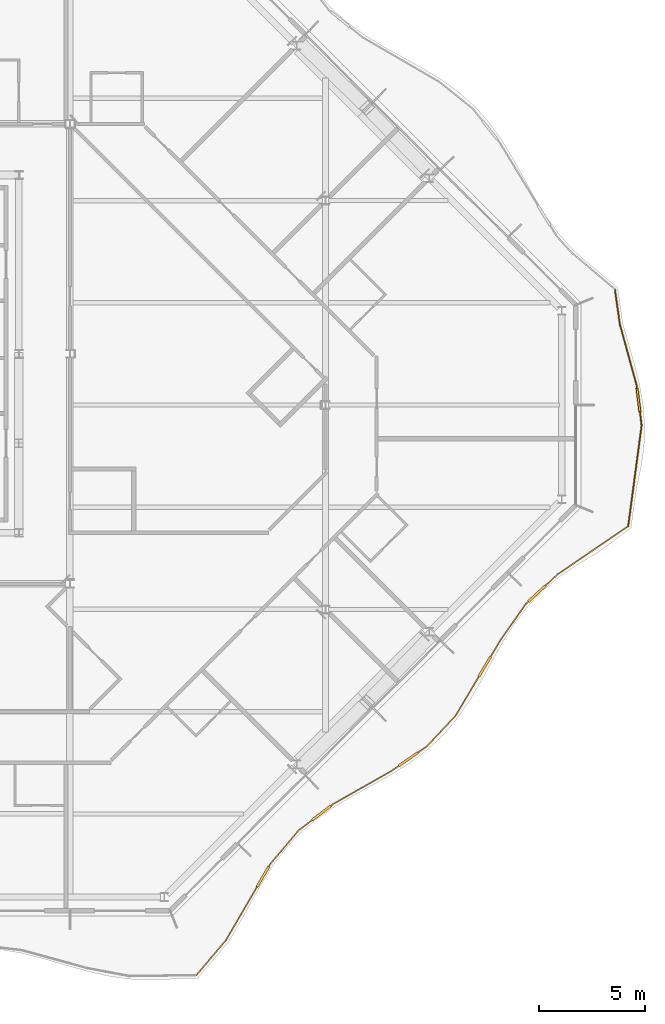
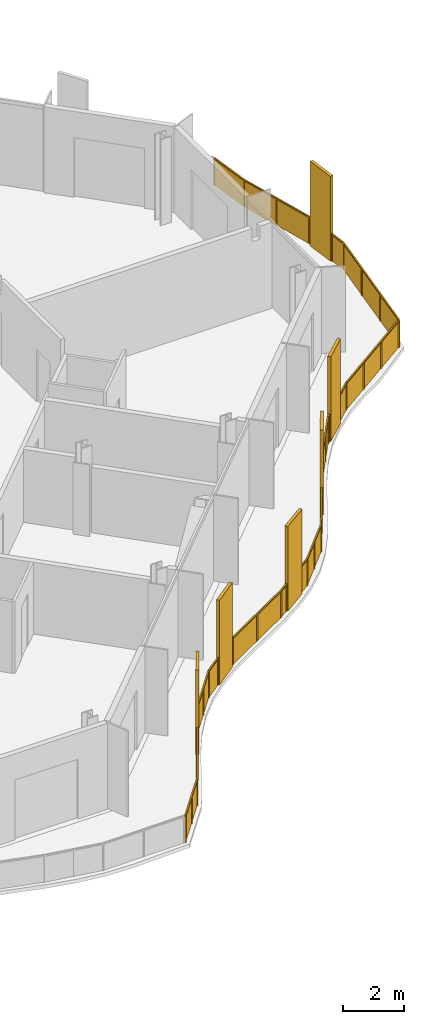
# One storey, part 15 of 17: 2 railings.
"""IFC4 building model written with IfcOpenShell, lengths in metres."""

from ifc_helpers import new_model, si_unit, direction, frame, origin, origin_2d, place, context, subcontext, project, spatial, polyline, rectangle, outline, extrude, material, type_object, element, save


model = new_model("IFC4")

# Units and contexts
model_context = context("Model", 3, precision=1e-05, world=origin(), true_north=direction((0.0, 1.0)))
body_context = subcontext(model_context, "Body", "Model", "MODEL_VIEW")
ifc_project = project(units=[si_unit("LENGTHUNIT", "METRE"), si_unit("AREAUNIT", "SQUARE_METRE"), si_unit("VOLUMEUNIT", "CUBIC_METRE"), si_unit("PLANEANGLEUNIT", "RADIAN"), si_unit("MASSUNIT", "GRAM", prefix="KILO")], contexts=[model_context])

# Site, building, storey
site_placement = place(None, origin())
site = spatial("IfcSite", under=ifc_project, at=site_placement, CompositionType="ELEMENT")
building_placement = place(site_placement, origin())
building = spatial("IfcBuilding", under=site, at=building_placement, Name="Cairn Pilgrim Tower", CompositionType="ELEMENT")
storey_placement = place(building_placement, frame((0.0, 0.0, 253.800048828125)))
storey = spatial("IfcBuildingStorey", under=building, at=storey_placement, Name="L65", CompositionType="ELEMENT", Elevation=253.800048828125)

# Railings
ifc_material = material(Name="Bronze anodised aluminium rail, posts and fin screens with laminated glass infill", Category="aluminium")
railing_type = type_object("IfcRailingType", Name="BALCONY GUARD WITH FIN SCREENS", PredefinedType="GUARDRAIL", material=ifc_material)
railing_1_placement = place(storey_placement, frame((25.138427734375, -26.769287109375, 0.0)))
element("IfcRailing", 1, at=railing_1_placement, inside=storey, type_object=railing_type, Name="Balcony guard BGF-2 with fin screens", PredefinedType="GUARDRAIL", context=body_context, shape_type="SweptSolid", body=[
    extrude(rectangle(XDim=0.050048828125, YDim=0.050048828125, at=origin_2d()), frame((0.0, 0.0, 1.0751953125), z_axis=(0.646667941589, 0.762771639038, 0.0), x_axis=(-0.762771639038, 0.646667941589, 0.0)), (0.0, 0.0, 1.0), 2.140625),
    extrude(rectangle(XDim=1.10009765625, YDim=0.110107421875, at=origin_2d()), frame((3.12548828125, 4.62255859375, 0.0), z_axis=(0.0, 0.0, 1.0), x_axis=(0.503276157898, 0.864125632585, 0.0)), (0.0, 0.0, 1.0), 3.39990234375),
    extrude(rectangle(XDim=0.050048828125, YDim=0.050048828125, at=origin_2d()), frame((1.38427734375, 1.6328125, 1.0751953125), z_axis=(0.503276157898, 0.864125632585, 0.0), x_axis=(-0.864125632585, 0.503276157898, 0.0)), (0.0, 0.0, 1.0), 2.909912109375),
    extrude(rectangle(XDim=0.050048828125, YDim=0.050048828125, at=origin_2d()), frame((3.40234375, 5.097900390625, 1.0751953125), z_axis=(0.503276157898, 0.864125632585, 0.0), x_axis=(-0.864125632585, 0.503276157898, 0.0)), (0.0, 0.0, 1.0), 0.150390625),
    extrude(rectangle(XDim=0.050048828125, YDim=0.050048828125, at=origin_2d()), frame((3.47802734375, 5.227783203125, 1.0751953125), z_axis=(0.644664192748, 0.764465877976, 0.0), x_axis=(-0.764465877976, 0.644664192748, 0.0)), (0.0, 0.0, 1.0), 2.048095703125),
    extrude(rectangle(XDim=1.10009765625, YDim=0.110107421875, at=origin_2d()), frame((5.876708984375, 7.615478515625, 0.0), z_axis=(0.0, 0.0, 1.0), x_axis=(0.795229964148, 0.606307928466, 0.0)), (0.0, 0.0, 1.0), 3.39990234375),
    extrude(rectangle(XDim=0.050048828125, YDim=0.050048828125, at=origin_2d()), frame((4.79833984375, 6.79345703125, 1.0751953125), z_axis=(0.795229964148, 0.606307928466, 0.0), x_axis=(-0.606307928466, 0.795229964148, 0.0)), (0.0, 0.0, 1.0), 0.805908203125),
    extrude(rectangle(XDim=0.050048828125, YDim=0.050048828125, at=origin_2d()), frame((6.31396484375, 7.948974609375, 1.0751953125), z_axis=(0.795229964148, 0.606307928466, 0.0), x_axis=(-0.606307928466, 0.795229964148, 0.0)), (0.0, 0.0, 1.0), 0.150146484375),
    extrude(rectangle(XDim=0.050048828125, YDim=0.050048828125, at=origin_2d()), frame((6.433349609375, 8.0400390625, 1.0751953125), z_axis=(0.869916335649, 0.493199319719, 0.0), x_axis=(-0.493199319719, 0.869916335649, 0.0)), (0.0, 0.0, 1.0), 3.133544921875),
    extrude(rectangle(XDim=1.10009765625, YDim=0.110107421875, at=origin_2d()), frame((9.956787109375, 10.139892578125, 0.0), z_axis=(0.0, 0.0, 1.0), x_axis=(0.821190707652, 0.570653854509, 0.0)), (0.0, 0.0, 1.0), 3.39990234375),
    extrude(rectangle(XDim=0.050048828125, YDim=0.050048828125, at=origin_2d()), frame((9.1591796875, 9.58544921875, 1.0751953125), z_axis=(0.821190707652, 0.570653854509, 0.0), x_axis=(-0.570653854509, 0.821190707652, 0.0)), (0.0, 0.0, 1.0), 0.42138671875),
    extrude(rectangle(XDim=0.050048828125, YDim=0.050048828125, at=origin_2d()), frame((10.408447265625, 10.45361328125, 1.0751953125), z_axis=(0.821190707652, 0.570653854509, 0.0), x_axis=(-0.570653854509, 0.821190707652, 0.0)), (0.0, 0.0, 1.0), 0.499755859375),
    extrude(rectangle(XDim=0.050048828125, YDim=0.050048828125, at=origin_2d()), frame((10.81884765625, 10.73876953125, 1.0751953125), z_axis=(0.684055959068, 0.729429533858, 0.0), x_axis=(-0.729429533858, 0.684055959068, 0.0)), (0.0, 0.0, 1.0), 1.97998046875),
    extrude(rectangle(XDim=1.10009765625, YDim=0.110107421875, at=origin_2d()), frame((13.540771484375, 14.486328125, 0.0), z_axis=(0.0, 0.0, 1.0), x_axis=(0.510510144635, 0.8598717301, 0.0)), (0.0, 0.0, 1.0), 3.39990234375),
    extrude(rectangle(XDim=0.050048828125, YDim=0.050048828125, at=origin_2d()), frame((12.17333984375, 12.18310546875, 1.0751953125), z_axis=(0.510510144635, 0.8598717301, 0.0), x_axis=(-0.8598717301, 0.510510144635, 0.0)), (0.0, 0.0, 1.0), 2.128662109375),
    extrude(rectangle(XDim=0.050048828125, YDim=0.050048828125, at=origin_2d()), frame((13.821533203125, 14.959228515625, 1.0751953125), z_axis=(0.510510144635, 0.8598717301, 0.0), x_axis=(-0.8598717301, 0.510510144635, 0.0)), (0.0, 0.0, 1.0), 0.911865234375),
    extrude(rectangle(XDim=0.050048828125, YDim=0.050048828125, at=origin_2d()), frame((14.287109375, 15.743408203125, 1.0751953125), z_axis=(0.573851305064, 0.818959510401, 0.0), x_axis=(-0.818959510401, 0.573851305064, 0.0)), (0.0, 0.0, 1.0), 2.063720703125),
    extrude(rectangle(XDim=1.10009765625, YDim=0.110107421875, at=origin_2d()), frame((15.984375, 17.909912109375, 0.0), z_axis=(0.0, 0.0, 1.0), x_axis=(0.732831855274, 0.680409782334, 0.0)), (0.0, 0.0, 1.0), 3.39990234375),
    extrude(rectangle(XDim=0.050048828125, YDim=0.050048828125, at=origin_2d()), frame((15.471435546875, 17.43359375, 1.0751953125), z_axis=(0.732831855274, 0.680409782334, 0.0), x_axis=(-0.680409782334, 0.732831855274, 0.0)), (0.0, 0.0, 1.0), 0.14990234375),
    extrude(rectangle(XDim=0.050048828125, YDim=0.050048828125, at=origin_2d()), frame((16.387451171875, 18.2841796875, 1.0751953125), z_axis=(0.732831855274, 0.680409782334, 0.0), x_axis=(-0.680409782334, 0.732831855274, 0.0)), (0.0, 0.0, 1.0), 0.7900390625),
    extrude(rectangle(XDim=0.050048828125, YDim=0.050048828125, at=origin_2d()), frame((16.96630859375, 18.821533203125, 1.0751953125), z_axis=(0.825909179893, 0.563803180701, 0.0), x_axis=(-0.563803180701, 0.825909179893, 0.0)), (0.0, 0.0, 1.0), 3.946533203125),
    extrude(rectangle(XDim=0.050048828125, YDim=0.050048828125, at=origin_2d()), origin(), (0.0, 0.0, 1.0), 1.050048828125),
    extrude(rectangle(XDim=0.050048828125, YDim=0.050048828125, at=origin_2d()), frame((0.692138671875, 0.81640625, 0.0)), (0.0, 0.0, 1.0), 1.050048828125),
    extrude(rectangle(XDim=0.050048828125, YDim=0.050048828125, at=origin_2d()), frame((1.38427734375, 1.6328125, 0.0)), (0.0, 0.0, 1.0), 1.050048828125),
    extrude(rectangle(XDim=0.050048828125, YDim=0.050048828125, at=origin_2d()), frame((2.1103515625, 2.87939453125, 0.0)), (0.0, 0.0, 1.0), 1.050048828125),
    extrude(rectangle(XDim=0.050048828125, YDim=0.050048828125, at=origin_2d()), frame((2.836181640625, 4.125732421875, 0.0)), (0.0, 0.0, 1.0), 1.050048828125),
    extrude(rectangle(XDim=0.050048828125, YDim=0.050048828125, at=origin_2d()), frame((3.4150390625, 5.11962890625, 0.0)), (0.0, 0.0, 1.0), 1.050048828125),
    extrude(rectangle(XDim=0.050048828125, YDim=0.050048828125, at=origin_2d()), frame((3.47802734375, 5.227783203125, 0.0)), (0.0, 0.0, 1.0), 1.050048828125),
    extrude(rectangle(XDim=0.050048828125, YDim=0.050048828125, at=origin_2d()), frame((4.13818359375, 6.0107421875, 0.0)), (0.0, 0.0, 1.0), 1.050048828125),
    extrude(rectangle(XDim=0.050048828125, YDim=0.050048828125, at=origin_2d()), frame((4.79833984375, 6.79345703125, 0.0)), (0.0, 0.0, 1.0), 1.050048828125),
    extrude(rectangle(XDim=0.050048828125, YDim=0.050048828125, at=origin_2d()), frame((5.41943359375, 7.266845703125, 0.0)), (0.0, 0.0, 1.0), 1.050048828125),
    extrude(rectangle(XDim=0.050048828125, YDim=0.050048828125, at=origin_2d()), frame((6.333984375, 7.964111328125, 0.0)), (0.0, 0.0, 1.0), 1.050048828125),
    extrude(rectangle(XDim=0.050048828125, YDim=0.050048828125, at=origin_2d()), frame((6.433349609375, 8.0400390625, 0.0)), (0.0, 0.0, 1.0), 1.050048828125),
    extrude(rectangle(XDim=0.050048828125, YDim=0.050048828125, at=origin_2d()), frame((7.79638671875, 8.812744140625, 0.0)), (0.0, 0.0, 1.0), 1.050048828125),
    extrude(rectangle(XDim=0.050048828125, YDim=0.050048828125, at=origin_2d()), frame((9.1591796875, 9.58544921875, 0.0)), (0.0, 0.0, 1.0), 1.050048828125),
    extrude(rectangle(XDim=0.050048828125, YDim=0.050048828125, at=origin_2d()), frame((9.484619140625, 9.8115234375, 0.0)), (0.0, 0.0, 1.0), 1.050048828125),
    extrude(rectangle(XDim=0.050048828125, YDim=0.050048828125, at=origin_2d()), frame((10.42919921875, 10.468017578125, 0.0)), (0.0, 0.0, 1.0), 1.050048828125),
    extrude(rectangle(XDim=0.050048828125, YDim=0.050048828125, at=origin_2d()), frame((10.81884765625, 10.73876953125, 0.0)), (0.0, 0.0, 1.0), 1.050048828125),
    extrude(rectangle(XDim=0.050048828125, YDim=0.050048828125, at=origin_2d()), frame((11.49609375, 11.4609375, 0.0)), (0.0, 0.0, 1.0), 1.050048828125),
    extrude(rectangle(XDim=0.050048828125, YDim=0.050048828125, at=origin_2d()), frame((12.17333984375, 12.18310546875, 0.0)), (0.0, 0.0, 1.0), 1.050048828125),
    extrude(rectangle(XDim=0.050048828125, YDim=0.050048828125, at=origin_2d()), frame((12.710205078125, 13.08740234375, 0.0)), (0.0, 0.0, 1.0), 1.050048828125),
    extrude(rectangle(XDim=0.050048828125, YDim=0.050048828125, at=origin_2d()), frame((13.247314453125, 13.991943359375, 0.0)), (0.0, 0.0, 1.0), 1.050048828125),
    extrude(rectangle(XDim=0.050048828125, YDim=0.050048828125, at=origin_2d()), frame((13.834228515625, 14.980712890625, 0.0)), (0.0, 0.0, 1.0), 1.050048828125),
    extrude(rectangle(XDim=0.050048828125, YDim=0.050048828125, at=origin_2d()), frame((14.287109375, 15.743408203125, 0.0)), (0.0, 0.0, 1.0), 1.050048828125),
    extrude(rectangle(XDim=0.050048828125, YDim=0.050048828125, at=origin_2d()), frame((14.87939453125, 16.58837890625, 0.0)), (0.0, 0.0, 1.0), 1.050048828125),
    extrude(rectangle(XDim=0.050048828125, YDim=0.050048828125, at=origin_2d()), frame((15.471435546875, 17.43359375, 0.0)), (0.0, 0.0, 1.0), 1.050048828125),
    extrude(rectangle(XDim=0.050048828125, YDim=0.050048828125, at=origin_2d()), frame((15.56298828125, 17.5185546875, 0.0)), (0.0, 0.0, 1.0), 1.050048828125),
    extrude(rectangle(XDim=0.050048828125, YDim=0.050048828125, at=origin_2d()), frame((16.40576171875, 18.301025390625, 0.0)), (0.0, 0.0, 1.0), 1.050048828125),
    extrude(rectangle(XDim=0.050048828125, YDim=0.050048828125, at=origin_2d()), frame((16.96630859375, 18.821533203125, 0.0)), (0.0, 0.0, 1.0), 1.050048828125),
    extrude(rectangle(XDim=0.050048828125, YDim=0.050048828125, at=origin_2d()), frame((18.052734375, 19.563232421875, 0.0)), (0.0, 0.0, 1.0), 1.050048828125),
    extrude(rectangle(XDim=0.050048828125, YDim=0.050048828125, at=origin_2d()), frame((19.139404296875, 20.304931640625, 0.0)), (0.0, 0.0, 1.0), 1.050048828125),
    extrude(rectangle(XDim=0.050048828125, YDim=0.050048828125, at=origin_2d()), frame((20.225830078125, 21.046630859375, 0.0)), (0.0, 0.0, 1.0), 1.050048828125),
    extrude(outline(polyline([(0.02490234375, 0.0), (1.04541015625, 0.0), (1.04541015625, 1.050048828125), (0.02490234375, 1.050048828125), (0.02490234375, 0.0)])), frame((-0.004638671875, 0.00390625, 0.0), z_axis=(0.762771639038, -0.646667941589, 0.0), x_axis=(0.646667941589, 0.762771639038, 0.0)), (0.0, 0.0, 1.0), 0.011962890625),
    extrude(outline(polyline([(0.02490234375, 0.0), (1.04541015625, 0.0), (1.04541015625, 1.050048828125), (0.02490234375, 1.050048828125), (0.02490234375, 0.0)])), frame((0.6875, 0.8203125, 0.0), z_axis=(0.762771639038, -0.646667941589, 0.0), x_axis=(0.646667941589, 0.762771639038, 0.0)), (0.0, 0.0, 1.0), 0.011962890625),
    extrude(outline(polyline([(0.02490234375, 0.0), (1.41748046875, 0.0), (1.41748046875, 1.050048828125), (0.02490234375, 1.050048828125), (0.02490234375, 0.0)])), frame((1.379150390625, 1.6357421875, 0.0), z_axis=(0.864125632585, -0.503276157898, 0.0), x_axis=(0.503276157898, 0.864125632585, 0.0)), (0.0, 0.0, 1.0), 0.011962890625),
    extrude(outline(polyline([(0.02490234375, 0.0), (1.41748046875, 0.0), (1.41748046875, 1.050048828125), (0.02490234375, 1.050048828125), (0.02490234375, 0.0)])), frame((2.10498046875, 2.88232421875, 0.0), z_axis=(0.864125632585, -0.503276157898, 0.0), x_axis=(0.503276157898, 0.864125632585, 0.0)), (0.0, 0.0, 1.0), 0.011962890625),
    extrude(outline(polyline([(0.02490234375, 0.0), (0.100341796875, 0.0), (0.100341796875, 1.050048828125), (0.02490234375, 1.050048828125), (0.02490234375, 0.0)])), frame((3.409912109375, 5.12255859375, 0.0), z_axis=(0.864125632585, -0.503276157898, 0.0), x_axis=(0.503276157898, 0.864125632585, 0.0)), (0.0, 0.0, 1.0), 0.011962890625),
    extrude(outline(polyline([(0.02490234375, 0.0), (0.9990234375, 0.0), (0.9990234375, 1.050048828125), (0.02490234375, 1.050048828125), (0.02490234375, 0.0)])), frame((3.473388671875, 5.231689453125, 0.0), z_axis=(0.764465877976, -0.644664192748, 0.0), x_axis=(0.644664192748, 0.764465877976, 0.0)), (0.0, 0.0, 1.0), 0.011962890625),
    extrude(outline(polyline([(0.02490234375, 0.0), (0.9990234375, 0.0), (0.9990234375, 1.050048828125), (0.02490234375, 1.050048828125), (0.02490234375, 0.0)])), frame((4.133544921875, 6.014404296875, 0.0), z_axis=(0.764465877976, -0.644664192748, 0.0), x_axis=(0.644664192748, 0.764465877976, 0.0)), (0.0, 0.0, 1.0), 0.011962890625),
    extrude(outline(polyline([(0.02490234375, 0.0), (0.755859375, 0.0), (0.755859375, 1.050048828125), (0.02490234375, 1.050048828125), (0.02490234375, 0.0)])), frame((4.794677734375, 6.798095703125, 0.0), z_axis=(0.606307928466, -0.795229964148, 0.0), x_axis=(0.795229964148, 0.606307928466, 0.0)), (0.0, 0.0, 1.0), 0.011962890625),
    extrude(outline(polyline([(0.02490234375, 0.0), (0.10009765625, 0.0), (0.10009765625, 1.050048828125), (0.02490234375, 1.050048828125), (0.02490234375, 0.0)])), frame((6.330322265625, 7.968994140625, 0.0), z_axis=(0.606307928466, -0.795229964148, 0.0), x_axis=(0.795229964148, 0.606307928466, 0.0)), (0.0, 0.0, 1.0), 0.011962890625),
    extrude(outline(polyline([(0.02490234375, 0.0), (1.541748046875, 0.0), (1.541748046875, 1.050048828125), (0.02490234375, 1.050048828125), (0.02490234375, 0.0)])), frame((6.430419921875, 8.045166015625, 0.0), z_axis=(0.493199319719, -0.869916335649, 0.0), x_axis=(0.869916335649, 0.493199319719, 0.0)), (0.0, 0.0, 1.0), 0.011962890625),
    extrude(outline(polyline([(0.02490234375, 0.0), (1.541748046875, 0.0), (1.541748046875, 1.050048828125), (0.02490234375, 1.050048828125), (0.02490234375, 0.0)])), frame((7.793212890625, 8.81787109375, 0.0), z_axis=(0.493199319719, -0.869916335649, 0.0), x_axis=(0.869916335649, 0.493199319719, 0.0)), (0.0, 0.0, 1.0), 0.011962890625),
    extrude(outline(polyline([(0.02490234375, 0.0), (0.371337890625, 0.0), (0.371337890625, 1.050048828125), (0.02490234375, 1.050048828125), (0.02490234375, 0.0)])), frame((9.15576171875, 9.59033203125, 0.0), z_axis=(0.570653854509, -0.821190707652, 0.0), x_axis=(0.821190707652, 0.570653854509, 0.0)), (0.0, 0.0, 1.0), 0.011962890625),
    extrude(outline(polyline([(0.02490234375, 0.0), (0.44970703125, 0.0), (0.44970703125, 1.050048828125), (0.02490234375, 1.050048828125), (0.02490234375, 0.0)])), frame((10.42578125, 10.472900390625, 0.0), z_axis=(0.570653854509, -0.821190707652, 0.0), x_axis=(0.821190707652, 0.570653854509, 0.0)), (0.0, 0.0, 1.0), 0.011962890625),
    extrude(outline(polyline([(0.02490234375, 0.0), (0.965087890625, 0.0), (0.965087890625, 1.050048828125), (0.02490234375, 1.050048828125), (0.02490234375, 0.0)])), frame((10.814453125, 10.742919921875, 0.0), z_axis=(0.729429533858, -0.684055959068, 0.0), x_axis=(0.684055959068, 0.729429533858, 0.0)), (0.0, 0.0, 1.0), 0.011962890625),
    extrude(outline(polyline([(0.02490234375, 0.0), (0.965087890625, 0.0), (0.965087890625, 1.050048828125), (0.02490234375, 1.050048828125), (0.02490234375, 0.0)])), frame((11.49169921875, 11.465087890625, 0.0), z_axis=(0.729429533858, -0.684055959068, 0.0), x_axis=(0.684055959068, 0.729429533858, 0.0)), (0.0, 0.0, 1.0), 0.011962890625),
    extrude(outline(polyline([(0.02490234375, 0.0), (1.02685546875, 0.0), (1.02685546875, 1.050048828125), (0.02490234375, 1.050048828125), (0.02490234375, 0.0)])), frame((12.168212890625, 12.186279296875, 0.0), z_axis=(0.8598717301, -0.510510144635, 0.0), x_axis=(0.510510144635, 0.8598717301, 0.0)), (0.0, 0.0, 1.0), 0.011962890625),
    extrude(outline(polyline([(0.02490234375, 0.0), (1.02685546875, 0.0), (1.02685546875, 1.050048828125), (0.02490234375, 1.050048828125), (0.02490234375, 0.0)])), frame((12.705078125, 13.090576171875, 0.0), z_axis=(0.8598717301, -0.510510144635, 0.0), x_axis=(0.510510144635, 0.8598717301, 0.0)), (0.0, 0.0, 1.0), 0.011962890625),
    extrude(outline(polyline([(0.02490234375, 0.0), (0.86181640625, 0.0), (0.86181640625, 1.050048828125), (0.02490234375, 1.050048828125), (0.02490234375, 0.0)])), frame((13.8291015625, 14.98388671875, 0.0), z_axis=(0.8598717301, -0.510510144635, 0.0), x_axis=(0.510510144635, 0.8598717301, 0.0)), (0.0, 0.0, 1.0), 0.011962890625),
    extrude(outline(polyline([(0.02490234375, 0.0), (1.0068359375, 0.0), (1.0068359375, 1.050048828125), (0.02490234375, 1.050048828125), (0.02490234375, 0.0)])), frame((14.2822265625, 15.746826171875, 0.0), z_axis=(0.818959510401, -0.573851305064, 0.0), x_axis=(0.573851305064, 0.818959510401, 0.0)), (0.0, 0.0, 1.0), 0.011962890625),
    extrude(outline(polyline([(0.02490234375, 0.0), (1.0068359375, 0.0), (1.0068359375, 1.050048828125), (0.02490234375, 1.050048828125), (0.02490234375, 0.0)])), frame((14.874267578125, 16.592041015625, 0.0), z_axis=(0.818959510401, -0.573851305064, 0.0), x_axis=(0.573851305064, 0.818959510401, 0.0)), (0.0, 0.0, 1.0), 0.011962890625),
    extrude(outline(polyline([(0.02490234375, 0.0), (0.099853515625, 0.0), (0.099853515625, 1.050048828125), (0.02490234375, 1.050048828125), (0.02490234375, 0.0)])), frame((15.46728515625, 17.43798828125, 0.0), z_axis=(0.680409782334, -0.732831855274, 0.0), x_axis=(0.732831855274, 0.680409782334, 0.0)), (0.0, 0.0, 1.0), 0.011962890625),
    extrude(outline(polyline([(0.02490234375, 0.0), (0.739990234375, 0.0), (0.739990234375, 1.050048828125), (0.02490234375, 1.050048828125), (0.02490234375, 0.0)])), frame((16.401611328125, 18.305419921875, 0.0), z_axis=(0.680409782334, -0.732831855274, 0.0), x_axis=(0.732831855274, 0.680409782334, 0.0)), (0.0, 0.0, 1.0), 0.011962890625),
    extrude(outline(polyline([(0.02490234375, 0.0), (1.29052734375, 0.0), (1.29052734375, 1.050048828125), (0.02490234375, 1.050048828125), (0.02490234375, 0.0)])), frame((16.962890625, 18.826416015625, 0.0), z_axis=(0.563803180701, -0.825909179893, 0.0), x_axis=(0.825909179893, 0.563803180701, 0.0)), (0.0, 0.0, 1.0), 0.011962890625),
    extrude(outline(polyline([(0.02490234375, 0.0), (1.29052734375, 0.0), (1.29052734375, 1.050048828125), (0.02490234375, 1.050048828125), (0.02490234375, 0.0)])), frame((18.049560546875, 19.568115234375, 0.0), z_axis=(0.563803180701, -0.825909179893, 0.0), x_axis=(0.825909179893, 0.563803180701, 0.0)), (0.0, 0.0, 1.0), 0.011962890625),
    extrude(outline(polyline([(0.02490234375, 0.0), (1.29052734375, 0.0), (1.29052734375, 1.050048828125), (0.02490234375, 1.050048828125), (0.02490234375, 0.0)])), frame((19.135986328125, 20.309814453125, 0.0), z_axis=(0.563803180701, -0.825909179893, 0.0), x_axis=(0.825909179893, 0.563803180701, 0.0)), (0.0, 0.0, 1.0), 0.011962890625),
])
railing_2_placement = place(storey_placement, frame((45.413818359375, -5.688720703125, 0.0)))
element("IfcRailing", 2, at=railing_2_placement, inside=storey, type_object=railing_type, Name="Balcony guard BGF-3 with fin screens", PredefinedType="GUARDRAIL", context=body_context, shape_type="SweptSolid", body=[
    extrude(rectangle(XDim=0.050048828125, YDim=0.050048828125, at=origin_2d()), frame((0.0, 0.0, 1.0751953125), z_axis=(0.132626224378, 0.991166123618, 0.0), x_axis=(-0.991166123618, 0.132626224378, 0.0)), (0.0, 0.0, 1.0), 4.771484375),
    extrude(rectangle(XDim=1.10009765625, YDim=0.110107421875, at=origin_2d()), frame((0.482421875, 5.9248046875, 0.0), z_axis=(0.0, 0.0, 1.0), x_axis=(-0.12482334393, 0.992178982246, 0.0)), (0.0, 0.0, 1.0), 3.39990234375),
    extrude(rectangle(XDim=0.050048828125, YDim=0.050048828125, at=origin_2d()), frame((0.6328125, 4.729248046875, 1.0751953125), z_axis=(-0.12482334393, 0.992178982246, 0.0), x_axis=(-0.992178982246, -0.12482334393, 0.0)), (0.0, 0.0, 1.0), 0.655029296875),
    extrude(rectangle(XDim=0.050048828125, YDim=0.050048828125, at=origin_2d()), frame((0.413818359375, 6.470458984375, 1.0751953125), z_axis=(-0.12482334393, 0.992178982246, 0.0), x_axis=(-0.992178982246, -0.12482334393, 0.0)), (0.0, 0.0, 1.0), 0.150146484375),
    extrude(rectangle(XDim=0.050048828125, YDim=0.050048828125, at=origin_2d()), frame((0.39501953125, 6.619384765625, 1.0751953125), z_axis=(-0.26494361091, 0.96426390736, 0.0), x_axis=(-0.96426390736, -0.26494361091, 0.0)), (0.0, 0.0, 1.0), 2.985595703125),
    extrude(rectangle(XDim=0.050048828125, YDim=0.050048828125, at=origin_2d()), frame((-0.39599609375, 9.498291015625, 1.0751953125), z_axis=(-0.139070769506, 0.990282445098, 0.0), x_axis=(-0.990282445098, -0.139070769506, 0.0)), (0.0, 0.0, 1.0), 1.585205078125),
    extrude(rectangle(XDim=0.050048828125, YDim=0.050048828125, at=origin_2d()), origin(), (0.0, 0.0, 1.0), 1.050048828125),
    extrude(rectangle(XDim=0.050048828125, YDim=0.050048828125, at=origin_2d()), frame((0.2109375, 1.576416015625, 0.0)), (0.0, 0.0, 1.0), 1.050048828125),
    extrude(rectangle(XDim=0.050048828125, YDim=0.050048828125, at=origin_2d()), frame((0.421875, 3.15283203125, 0.0)), (0.0, 0.0, 1.0), 1.050048828125),
    extrude(rectangle(XDim=0.050048828125, YDim=0.050048828125, at=origin_2d()), frame((0.6328125, 4.729248046875, 0.0)), (0.0, 0.0, 1.0), 1.050048828125),
    extrude(rectangle(XDim=0.050048828125, YDim=0.050048828125, at=origin_2d()), frame((0.55419921875, 5.354248046875, 0.0)), (0.0, 0.0, 1.0), 1.050048828125),
    extrude(rectangle(XDim=0.050048828125, YDim=0.050048828125, at=origin_2d()), frame((0.41064453125, 6.495361328125, 0.0)), (0.0, 0.0, 1.0), 1.050048828125),
    extrude(rectangle(XDim=0.050048828125, YDim=0.050048828125, at=origin_2d()), frame((0.39501953125, 6.619384765625, 0.0)), (0.0, 0.0, 1.0), 1.050048828125),
    extrude(rectangle(XDim=0.050048828125, YDim=0.050048828125, at=origin_2d()), frame((-0.00048828125, 8.058837890625, 0.0)), (0.0, 0.0, 1.0), 1.050048828125),
    extrude(rectangle(XDim=0.050048828125, YDim=0.050048828125, at=origin_2d()), frame((-0.39599609375, 9.498291015625, 0.0)), (0.0, 0.0, 1.0), 1.050048828125),
    extrude(rectangle(XDim=0.050048828125, YDim=0.050048828125, at=origin_2d()), frame((-0.616455078125, 11.068115234375, 0.0)), (0.0, 0.0, 1.0), 1.050048828125),
    extrude(outline(polyline([(0.02490234375, 0.0), (1.5654296875, 0.0), (1.5654296875, 1.050048828125), (0.02490234375, 1.050048828125), (0.02490234375, 0.0)])), frame((-0.005859375, 0.000732421875, 0.0), z_axis=(0.991166123618, -0.132626224378, 0.0), x_axis=(0.132626224378, 0.991166123618, 0.0)), (0.0, 0.0, 1.0), 0.011962890625),
    extrude(outline(polyline([(0.02490234375, 0.0), (1.5654296875, 0.0), (1.5654296875, 1.050048828125), (0.02490234375, 1.050048828125), (0.02490234375, 0.0)])), frame((0.205078125, 1.5771484375, 0.0), z_axis=(0.991166123618, -0.132626224378, 0.0), x_axis=(0.132626224378, 0.991166123618, 0.0)), (0.0, 0.0, 1.0), 0.011962890625),
    extrude(outline(polyline([(0.02490234375, 0.0), (1.5654296875, 0.0), (1.5654296875, 1.050048828125), (0.02490234375, 1.050048828125), (0.02490234375, 0.0)])), frame((0.416015625, 3.153564453125, 0.0), z_axis=(0.991166123618, -0.132626224378, 0.0), x_axis=(0.132626224378, 0.991166123618, 0.0)), (0.0, 0.0, 1.0), 0.011962890625),
    extrude(outline(polyline([(0.02490234375, 0.0), (0.60498046875, 0.0), (0.60498046875, 1.050048828125), (0.02490234375, 1.050048828125), (0.02490234375, 0.0)])), frame((0.626953125, 4.728515625, 0.0), z_axis=(0.992178982246, 0.12482334393, 0.0), x_axis=(-0.12482334393, 0.992178982246, 0.0)), (0.0, 0.0, 1.0), 0.011962890625),
    extrude(outline(polyline([(0.02490234375, 0.0), (0.10009765625, 0.0), (0.10009765625, 1.050048828125), (0.02490234375, 1.050048828125), (0.02490234375, 0.0)])), frame((0.40478515625, 6.49462890625, 0.0), z_axis=(0.992178982246, 0.12482334393, 0.0), x_axis=(-0.12482334393, 0.992178982246, 0.0)), (0.0, 0.0, 1.0), 0.011962890625),
    extrude(outline(polyline([(0.02490234375, 0.0), (1.4677734375, 0.0), (1.4677734375, 1.050048828125), (0.02490234375, 1.050048828125), (0.02490234375, 0.0)])), frame((0.38916015625, 6.617919921875, 0.0), z_axis=(0.96426390736, 0.26494361091, 0.0), x_axis=(-0.26494361091, 0.96426390736, 0.0)), (0.0, 0.0, 1.0), 0.011962890625),
    extrude(outline(polyline([(0.02490234375, 0.0), (1.4677734375, 0.0), (1.4677734375, 1.050048828125), (0.02490234375, 1.050048828125), (0.02490234375, 0.0)])), frame((-0.00634765625, 8.057373046875, 0.0), z_axis=(0.96426390736, 0.26494361091, 0.0), x_axis=(-0.26494361091, 0.96426390736, 0.0)), (0.0, 0.0, 1.0), 0.011962890625),
    extrude(outline(polyline([(0.02490234375, 0.0), (1.560302734375, 0.0), (1.560302734375, 1.050048828125), (0.02490234375, 1.050048828125), (0.02490234375, 0.0)])), frame((-0.40185546875, 9.49755859375, 0.0), z_axis=(0.990282445098, 0.139070769506, 0.0), x_axis=(-0.139070769506, 0.990282445098, 0.0)), (0.0, 0.0, 1.0), 0.011962890625),
])

save(model, "model.ifc")
